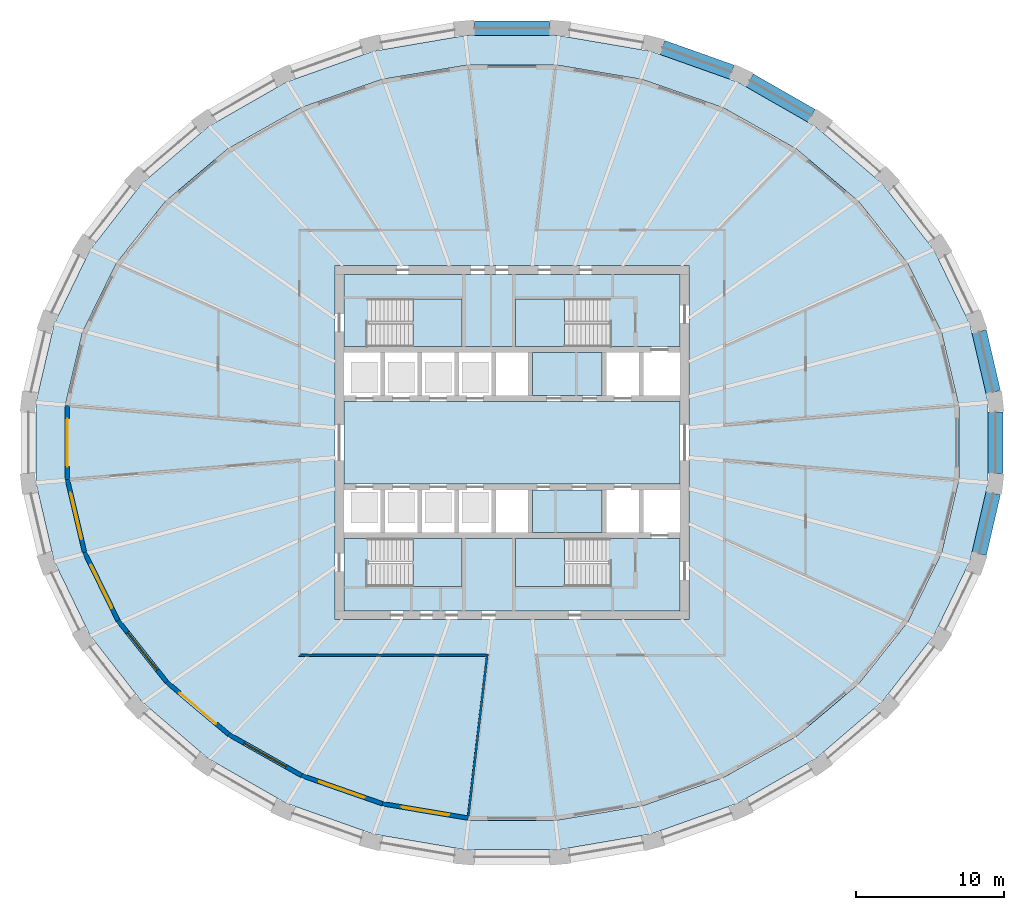
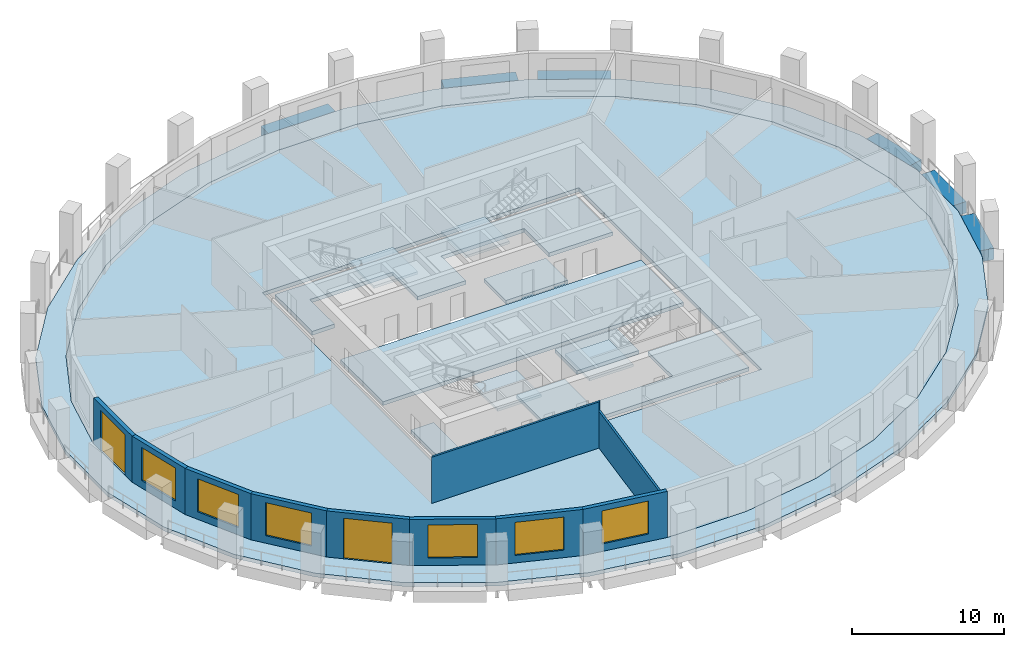
# One storey, part 2 of 10: 11 slabs, 10 walls, 6 beams, 6 windows, 2 doors, 8 openings, 4 elements without a shape of their own.
"""IFC4 building model written with IfcOpenShell, lengths in metres."""

from ifc_helpers import new_model, si_unit, direction, frame, frame_2d, origin, origin_2d, place, context, subcontext, project, spatial, polyline, rectangle, outline, extrude, material, layer, layer_set, material_profile, profile_set, type_object, element, fill, aggregate, save


model = new_model("IFC4")

# Units and contexts
model_context = context("Model", 3, precision=1e-05, world=origin(), true_north=direction((0.0, 1.0)))
body_context = subcontext(model_context, "Body", "Model", "MODEL_VIEW")
ifc_project = project(units=[si_unit("LENGTHUNIT", "METRE"), si_unit("AREAUNIT", "SQUARE_METRE"), si_unit("VOLUMEUNIT", "CUBIC_METRE"), si_unit("PLANEANGLEUNIT", "RADIAN"), si_unit("MASSUNIT", "GRAM", prefix="KILO")], contexts=[model_context])

# Site, building, storey
site_placement = place(None, origin())
site = spatial("IfcSite", under=ifc_project, at=site_placement, CompositionType="ELEMENT")
building_placement = place(site_placement, origin())
building = spatial("IfcBuilding", under=site, at=building_placement, Name="Halqa Exchange Tower", CompositionType="ELEMENT")
storey_placement = place(building_placement, frame((0.0, 0.0, 178.89990234375)))
storey = spatial("IfcBuildingStorey", under=building, at=storey_placement, Name="L40", CompositionType="ELEMENT", Elevation=178.89990234375)

# Beams
ifc_material_1 = material(Name="Concrete C60/75", Category="concrete")
ifc_material_profile = material_profile(ifc_material_1, rectangle(XDim=1.0, YDim=0.89990234375, at=origin_2d()), Name="1000 x 900")
ifc_profile_set = profile_set([ifc_material_profile], Name="Concrete C60/75")
beam_type = type_object("IfcBeamType", Name="RC spandrel beam 1000 x 900 C60/75", PredefinedType="SPANDREL", material=ifc_profile_set)
beam_1_placement = place(storey_placement, frame((32.60986328125, 3.424072265625, -0.449951171875), z_axis=(-0.226085562034, 0.974107447174, 0.0), x_axis=(-0.974107447174, -0.226085562034, 0.0)))
element("IfcBeam", 1, at=beam_1_placement, inside=storey, type_object=beam_type, Name="Spandrel 1", PredefinedType="SPANDREL", context=body_context, shape_type="SweptSolid", body=[
    extrude(rectangle(XDim=1.0, YDim=0.89990234375, at=origin_2d()), origin(), (0.0, 0.0, 1.0), 4.216796875),
])
beam_2_placement = place(storey_placement, frame((20.29931640625, 22.148193359375, -0.449951171875), z_axis=(-0.867742419962, 0.497014177462, 0.0), x_axis=(-0.497014177462, -0.867742419962, 0.0)))
element("IfcBeam", 2, at=beam_2_placement, inside=storey, type_object=beam_type, Name="Spandrel 5", PredefinedType="SPANDREL", context=body_context, shape_type="SweptSolid", body=[
    extrude(rectangle(XDim=1.0, YDim=0.89990234375, at=origin_2d()), origin(), (0.0, 0.0, 1.0), 4.8349609375),
])
beam_3_placement = place(storey_placement, frame((14.8828125, 25.11181640625, -0.449951171875), z_axis=(-0.942363905459, 0.3345897035, 0.0), x_axis=(-0.3345897035, -0.942363905459, 0.0)))
element("IfcBeam", 3, at=beam_3_placement, inside=storey, type_object=beam_type, Name="Spandrel 6", PredefinedType="SPANDREL", context=body_context, shape_type="SweptSolid", body=[
    extrude(rectangle(XDim=1.0, YDim=0.89990234375, at=origin_2d()), origin(), (0.0, 0.0, 1.0), 4.977783203125),
])
beam_4_placement = place(storey_placement, frame((2.551513671875, 28.082275390625, -0.449951171875), z_axis=(-1.0, 0.0, 0.0), x_axis=(0.0, -1.0, 0.0)))
element("IfcBeam", 4, at=beam_4_placement, inside=storey, type_object=beam_type, Name="Spandrel 8", PredefinedType="SPANDREL", context=body_context, shape_type="SweptSolid", body=[
    extrude(rectangle(XDim=1.0, YDim=0.89990234375, at=origin_2d()), origin(), (0.0, 0.0, 1.0), 5.10302734375),
])
beam_5_placement = place(storey_placement, frame((31.656494140625, -7.53173828125, -0.449951171875), z_axis=(0.226085562034, 0.974107447174, 0.0), x_axis=(-0.974107447174, 0.226085562034, 0.0)))
element("IfcBeam", 5, at=beam_5_placement, inside=storey, type_object=beam_type, Name="Spandrel 31", PredefinedType="SPANDREL", context=body_context, shape_type="SweptSolid", body=[
    extrude(rectangle(XDim=1.0, YDim=0.89990234375, at=origin_2d()), origin(), (0.0, 0.0, 1.0), 4.216796875),
])
beam_6_placement = place(storey_placement, frame((32.7626953125, -2.08984375, -0.449951171875), z_axis=(0.0, 1.0, 0.0), x_axis=(-1.0, 0.0, 0.0)))
element("IfcBeam", 6, at=beam_6_placement, inside=storey, type_object=beam_type, Name="Spandrel 32", PredefinedType="SPANDREL", context=body_context, shape_type="SweptSolid", body=[
    extrude(rectangle(XDim=1.0, YDim=0.89990234375, at=origin_2d()), origin(), (0.0, 0.0, 1.0), 4.1796875),
])

# Slabs
ifc_layer_1 = layer(ifc_material_1, 0.300048828125)
ifc_layer_set_1 = layer_set([ifc_layer_1], Name="Concrete C60/75")
slab_type_1 = type_object("IfcSlabType", Name="Core floor slab 300", PredefinedType="FLOOR", material=ifc_layer_set_1)
slab_1_placement = place(storey_placement, frame((0.0, 0.0, -0.2998046875)))
element("IfcSlab", 7, at=slab_1_placement, inside=storey, type_object=slab_type_1, Name="Core floor slab", PredefinedType="FLOOR", context=body_context, shape_type="SweptSolid", body=[
    extrude(outline(polyline([(-11.39990234375, 2.800048828125), (11.39990234375, 2.800048828125), (11.39990234375, -2.800048828125), (-11.39990234375, -2.800048828125), (-11.39990234375, 2.800048828125)])), origin(), (0.0, 0.0, 1.0), 0.2998046875),
])
slab_2_placement = place(storey_placement, frame((0.0, 0.0, -0.2998046875)))
element("IfcSlab", 8, at=slab_2_placement, inside=storey, type_object=slab_type_1, Name="Core floor slab", PredefinedType="FLOOR", context=body_context, shape_type="SweptSolid", body=[
    extrude(outline(polyline([(-11.39990234375, 11.39990234375), (11.39990234375, 11.39990234375), (11.39990234375, 6.5), (6.550048828125, 6.5), (6.550048828125, 9.75), (0.25, 9.75), (0.25, 6.5), (-3.39990234375, 6.5), (-3.39990234375, 9.75), (-9.699951171875, 9.75), (-9.699951171875, 6.5), (-11.39990234375, 6.5), (-11.39990234375, 11.39990234375)])), origin(), (0.0, 0.0, 1.0), 0.2998046875),
])
slab_3_placement = place(storey_placement, frame((0.0, 0.0, -0.2998046875)))
element("IfcSlab", 9, at=slab_3_placement, inside=storey, type_object=slab_type_1, Name="Core floor slab", PredefinedType="FLOOR", context=body_context, shape_type="SweptSolid", body=[
    extrude(outline(polyline([(-9.699951171875, -9.75), (-3.39990234375, -9.75), (-3.39990234375, -6.5), (0.25, -6.5), (0.25, -9.75), (6.550048828125, -9.75), (6.550048828125, -6.5), (11.39990234375, -6.5), (11.39990234375, -11.39990234375), (-11.39990234375, -11.39990234375), (-11.39990234375, -6.5), (-9.699951171875, -6.5), (-9.699951171875, -9.75)])), origin(), (0.0, 0.0, 1.0), 0.2998046875),
])
slab_4_placement = place(storey_placement, frame((0.0, 0.0, -0.2998046875)))
element("IfcSlab", 10, at=slab_4_placement, inside=storey, type_object=slab_type_1, Name="Core floor slab", PredefinedType="FLOOR", context=body_context, shape_type="SweptSolid", body=[
    extrude(outline(polyline([(6.10009765625, -3.199951171875), (6.10009765625, -6.10009765625), (1.39990234375, -6.10009765625), (1.39990234375, -3.199951171875), (6.10009765625, -3.199951171875)])), origin(), (0.0, 0.0, 1.0), 0.2998046875),
])
slab_5_placement = place(storey_placement, frame((0.0, 0.0, -0.2998046875)))
element("IfcSlab", 11, at=slab_5_placement, inside=storey, type_object=slab_type_1, Name="Core floor slab", PredefinedType="FLOOR", context=body_context, shape_type="SweptSolid", body=[
    extrude(outline(polyline([(6.10009765625, 6.10009765625), (6.10009765625, 3.199951171875), (1.39990234375, 3.199951171875), (1.39990234375, 6.10009765625), (6.10009765625, 6.10009765625)])), origin(), (0.0, 0.0, 1.0), 0.2998046875),
])
ifc_material_2 = material(Name="Concrete C40/50", Category="concrete")
ifc_layer_2 = layer(ifc_material_2, 0.300048828125)
ifc_layer_set_2 = layer_set([ifc_layer_2], Name="Concrete C40/50")
slab_type_2 = type_object("IfcSlabType", Name="RC floor slab 300", PredefinedType="FLOOR", material=ifc_layer_set_2)
slab_6_placement = place(storey_placement, frame((0.0, 0.0, -0.2998046875)))
element("IfcSlab", 12, at=slab_6_placement, inside=storey, type_object=slab_type_2, Name="Floor slab", PredefinedType="FLOOR", context=body_context, shape_type="SweptSolid", body=[
    extrude(outline(polyline([(30.276123046875, 2.5263671875), (29.1083984375, 7.480224609375), (26.819580078125, 12.14306640625), (23.50048828125, 16.3349609375), (19.280517578125, 19.89599609375), (14.322998046875, 22.691162109375), (8.818603515625, 24.615234375), (2.977294921875, 25.595703125), (-2.977294921875, 25.595703125), (-8.818603515625, 24.615234375), (-14.322998046875, 22.691162109375), (-19.280517578125, 19.89599609375), (-23.50048828125, 16.3349609375), (-26.819580078125, 12.14306640625), (-29.1083984375, 7.480224609375), (-30.276123046875, 2.5263671875), (-30.276123046875, -2.5263671875), (-29.1083984375, -7.480224609375), (-26.819580078125, -12.14306640625), (-23.50048828125, -16.3349609375), (-19.280517578125, -19.89599609375), (-14.322998046875, -22.691162109375), (-8.818603515625, -24.615234375), (-2.977294921875, -25.595703125), (2.977294921875, -25.595703125), (8.818603515625, -24.615234375), (14.322998046875, -22.691162109375), (19.280517578125, -19.89599609375), (23.50048828125, -16.3349609375), (26.819580078125, -12.14306640625), (29.1083984375, -7.480224609375), (30.276123046875, -2.5263671875), (30.276123046875, 2.5263671875)]), holes=[polyline([(-12.0, -12.0), (12.0, -12.0), (12.0, 12.0), (-12.0, 12.0), (-12.0, -12.0)])]), origin(), (0.0, 0.0, 1.0), 0.2998046875),
])
ifc_layer_3 = layer(ifc_material_2, 0.300048828125)
ifc_layer_set_3 = layer_set([ifc_layer_3], Name="Concrete C40/50")
slab_type_3 = type_object("IfcSlabType", Name="RC loggia slab 300", PredefinedType="FLOOR", material=ifc_layer_set_3)
slab_7_placement = place(storey_placement, frame((0.0, 0.0, -0.2998046875)))
element("IfcSlab", 13, at=slab_7_placement, inside=storey, type_object=slab_type_3, Name="Loggia slab", PredefinedType="FLOOR", context=body_context, shape_type="SweptSolid", body=[
    extrude(outline(polyline([(32.2626953125, 2.70849609375), (32.2626953125, -2.70849609375), (31.029052734375, -8.02392578125), (28.606689453125, -13.03662109375), (25.0849609375, -17.554443359375), (20.595458984375, -21.402587890625), (15.309326171875, -24.429931640625), (9.429931640625, -26.517333984375), (3.1845703125, -27.582275390625), (-3.1845703125, -27.582275390625), (-9.429931640625, -26.517333984375), (-15.309326171875, -24.429931640625), (-20.595458984375, -21.402587890625), (-25.0849609375, -17.554443359375), (-28.606689453125, -13.03662109375), (-31.029052734375, -8.02392578125), (-32.2626953125, -2.70849609375), (-32.2626953125, 2.70849609375), (-31.029052734375, 8.02392578125), (-28.606689453125, 13.03662109375), (-25.0849609375, 17.554443359375), (-20.595458984375, 21.402587890625), (-15.309326171875, 24.429931640625), (-9.429931640625, 26.517333984375), (-3.1845703125, 27.582275390625), (3.1845703125, 27.582275390625), (9.429931640625, 26.517333984375), (15.309326171875, 24.429931640625), (20.595458984375, 21.402587890625), (25.0849609375, 17.554443359375), (28.606689453125, 13.03662109375), (31.029052734375, 8.02392578125), (32.2626953125, 2.70849609375)]), holes=[polyline([(30.276123046875, 2.5263671875), (29.1083984375, 7.480224609375), (26.819580078125, 12.14306640625), (23.50048828125, 16.3349609375), (19.280517578125, 19.89599609375), (14.322998046875, 22.691162109375), (8.818603515625, 24.615234375), (2.977294921875, 25.595703125), (-2.977294921875, 25.595703125), (-8.818603515625, 24.615234375), (-14.322998046875, 22.691162109375), (-19.280517578125, 19.89599609375), (-23.50048828125, 16.3349609375), (-26.819580078125, 12.14306640625), (-29.1083984375, 7.480224609375), (-30.276123046875, 2.5263671875), (-30.276123046875, -2.5263671875), (-29.1083984375, -7.480224609375), (-26.819580078125, -12.14306640625), (-23.50048828125, -16.3349609375), (-19.280517578125, -19.89599609375), (-14.322998046875, -22.691162109375), (-8.818603515625, -24.615234375), (-2.977294921875, -25.595703125), (2.977294921875, -25.595703125), (8.818603515625, -24.615234375), (14.322998046875, -22.691162109375), (19.280517578125, -19.89599609375), (23.50048828125, -16.3349609375), (26.819580078125, -12.14306640625), (29.1083984375, -7.480224609375), (30.276123046875, -2.5263671875), (30.276123046875, 2.5263671875)])]), origin(), (0.0, 0.0, 1.0), 0.2998046875),
])

# Stair, slab
ifc_material_3 = material(Name="Concrete C30/37", Category="concrete")
stair_type = type_object("IfcStairType", Name="Exit stair 1500 wide", PredefinedType="HALF_TURN_STAIR", material=ifc_material_3)
stair_1_placement = place(storey_placement, origin())
stair_1 = element("IfcStair", 14, at=stair_1_placement, inside=storey, type_object=stair_type, Name="Exit stair ST1", PredefinedType="HALF_TURN_STAIR")
ifc_layer_4 = layer(ifc_material_3, 0.199951171875)
ifc_layer_set_4 = layer_set([ifc_layer_4], Name="Concrete C30/37")
slab_type_4 = type_object("IfcSlabType", Name="Stair landing 200 slab", PredefinedType="LANDING", material=ifc_layer_set_4)
slab_8_placement = place(storey_placement, frame((0.0, 0.0, 1.800048828125)))
slab_8 = element("IfcSlab", 15, at=slab_8_placement, type_object=slab_type_4, Name="ST1 landing 1", PredefinedType="LANDING", context=body_context, shape_type="SweptSolid", body=[
    extrude(outline(polyline([(-6.719970703125, 6.5), (-3.39990234375, 6.5), (-3.39990234375, 9.75), (-6.719970703125, 9.75), (-6.719970703125, 6.5)])), origin(), (0.0, 0.0, 1.0), 0.199951171875),
])
aggregate(stair_1, [slab_8])

stair_2_placement = place(storey_placement, origin())
stair_2 = element("IfcStair", 16, at=stair_2_placement, inside=storey, type_object=stair_type, Name="Exit stair ST2", PredefinedType="HALF_TURN_STAIR")
slab_9_placement = place(storey_placement, frame((0.0, 0.0, 1.800048828125)))
slab_9 = element("IfcSlab", 17, at=slab_9_placement, type_object=slab_type_4, Name="ST2 landing 1", PredefinedType="LANDING", context=body_context, shape_type="SweptSolid", body=[
    extrude(outline(polyline([(0.25, 6.5), (3.570068359375, 6.5), (3.570068359375, 9.75), (0.25, 9.75), (0.25, 6.5)])), origin(), (0.0, 0.0, 1.0), 0.199951171875),
])
aggregate(stair_2, [slab_9])

stair_3_placement = place(storey_placement, origin())
stair_3 = element("IfcStair", 18, at=stair_3_placement, inside=storey, type_object=stair_type, Name="Exit stair ST3", PredefinedType="HALF_TURN_STAIR")
slab_10_placement = place(storey_placement, frame((0.0, 0.0, 1.800048828125)))
slab_10 = element("IfcSlab", 19, at=slab_10_placement, type_object=slab_type_4, Name="ST3 landing 1", PredefinedType="LANDING", context=body_context, shape_type="SweptSolid", body=[
    extrude(outline(polyline([(-6.719970703125, -9.75), (-3.39990234375, -9.75), (-3.39990234375, -6.5), (-6.719970703125, -6.5), (-6.719970703125, -9.75)])), origin(), (0.0, 0.0, 1.0), 0.199951171875),
])
aggregate(stair_3, [slab_10])

stair_4_placement = place(storey_placement, origin())
stair_4 = element("IfcStair", 20, at=stair_4_placement, inside=storey, type_object=stair_type, Name="Exit stair ST4", PredefinedType="HALF_TURN_STAIR")
slab_11_placement = place(storey_placement, frame((0.0, 0.0, 1.800048828125)))
slab_11 = element("IfcSlab", 21, at=slab_11_placement, type_object=slab_type_4, Name="ST4 landing 1", PredefinedType="LANDING", context=body_context, shape_type="SweptSolid", body=[
    extrude(outline(polyline([(0.25, -9.75), (3.570068359375, -9.75), (3.570068359375, -6.5), (0.25, -6.5), (0.25, -9.75)])), origin(), (0.0, 0.0, 1.0), 0.199951171875),
])
aggregate(stair_4, [slab_11])

# Walls
ifc_material_4 = material(Name="Fire-rated gypsum board")
ifc_layer_5 = layer(ifc_material_4, 0.14990234375)
ifc_layer_set_5 = layer_set([ifc_layer_5], Name="Fire-rated gypsum board")
wall_type_1 = type_object("IfcWallType", Name="Fire partition EI 60 150", PredefinedType="PARTITIONING", material=ifc_layer_set_5)
wall_1_placement = place(storey_placement, frame((-2.953857421875, -25.29150390625, 0.0), z_axis=(0.0, 0.0, 1.0), x_axis=(0.116172056535, 0.993229104125, 0.0)))
element("IfcWall", 22, at=wall_1_placement, inside=storey, type_object=wall_type_1, Name="L40-PWL-011", PredefinedType="PARTITIONING", context=body_context, shape_type="SweptSolid", body=[
    extrude(outline(polyline([(11.0498046875, -0.074951171875), (11.0498046875, -0.07470703125), (10.9658203125, 0.0), (10.881591796875, 0.074951171875), (9.06787109375, 0.074951171875), (7.25439453125, 0.074951171875), (5.440673828125, 0.074951171875), (3.627197265625, 0.074951171875), (1.8134765625, 0.074951171875), (0.0, 0.074951171875), (0.0, -0.0361328125), (0.004638671875, -0.074951171875), (1.845458984375, -0.074951171875), (3.686279296875, -0.074951171875), (5.527099609375, -0.074951171875), (7.3681640625, -0.074951171875), (9.208984375, -0.074951171875), (11.0498046875, -0.074951171875)])), origin(), (0.0, 0.0, 1.0), 2.947021484375),
])
wall_2_placement = place(storey_placement, frame((-1.595703125, -14.39990234375, 0.0), z_axis=(0.0, 0.0, 1.0), x_axis=(-1.0, 0.0, 0.0)))
element("IfcWall", 23, at=wall_2_placement, inside=storey, type_object=wall_type_1, Name="L40-PWL-012", PredefinedType="PARTITIONING", context=body_context, shape_type="SweptSolid", body=[
    extrude(outline(polyline([(0.0, -0.074951171875), (1.818359375, -0.074951171875), (3.636962890625, -0.074951171875), (5.455322265625, -0.074951171875), (7.27392578125, -0.074951171875), (9.09228515625, -0.074951171875), (10.910888671875, -0.074951171875), (12.729248046875, -0.074951171875), (12.879150390625, 0.074951171875), (11.063232421875, 0.074951171875), (9.24755859375, 0.074951171875), (7.431640625, 0.074951171875), (5.615966796875, 0.074951171875), (3.800048828125, 0.074951171875), (1.984130859375, 0.074951171875), (0.16845703125, 0.074951171875), (0.0, -0.074951171875), (0.0, -0.074951171875)])), origin(), (0.0, 0.0, 1.0), 3.7001953125),
])

# Wall, opening, door
ifc_material_5 = material(Name="Limestone cladding", Category="masonry")
ifc_layer_6 = layer(ifc_material_5, 0.0400390625)
ifc_material_6 = material(Name="Ventilated cavity")
ifc_layer_7 = layer(ifc_material_6, 0.030029296875, ventilated=True)
ifc_material_7 = material(Name="Mineral wool insulation")
ifc_layer_8 = layer(ifc_material_7, 0.10009765625)
ifc_layer_9 = layer(ifc_material_3, 0.10009765625)
ifc_material_8 = material(Name="Internal plaster")
ifc_layer_10 = layer(ifc_material_8, 0.030029296875)
ifc_layer_set_6 = layer_set([ifc_layer_6, ifc_layer_7, ifc_layer_8, ifc_layer_9, ifc_layer_10], Name="Stone-faced insulated wall 300")
wall_type_2 = type_object("IfcWallType", Name="Stone-faced insulated wall 300", PredefinedType="STANDARD", material=ifc_layer_set_6)
wall_3_placement = place(storey_placement, frame((-30.126220703125, 2.5087890625, 0.0), z_axis=(0.0, 0.0, 1.0), x_axis=(0.0, -1.0, 0.0)))
wall_3 = element("IfcWall", 24, at=wall_3_placement, inside=storey, type_object=wall_type_2, Name="Glass-line wall 16", PredefinedType="STANDARD", context=body_context, shape_type="SweptSolid", body=[
    extrude(outline(polyline([(-0.017333984375, -0.14990234375), (5.034912109375, -0.14990234375), (5.000244140625, 0.14990234375), (0.017333984375, 0.14990234375), (-0.017333984375, -0.14990234375)])), origin(), (0.0, 0.0, 1.0), 3.7001953125),
])
opening_1_placement = place(wall_3_placement, frame((0.8837890625, 0.0, 0.0)))
opening_1 = element("IfcOpeningElement", 25, at=opening_1_placement, cuts=wall_3, Name="Opening LG-F3-04", PredefinedType="OPENING", context=body_context, shape_type="SweptSolid", body=[
    extrude(rectangle(XDim=3.25, YDim=3.25, at=frame_2d((1.625, 1.625))), frame((0.0, 0.162109375, 0.0), z_axis=(0.0, -1.0, 0.0), x_axis=(1.0, 0.0, 0.0)), (0.0, 0.0, 1.0), 0.323974609375),
])
ifc_material_9 = material(Name="Clear low-emissivity glass in aluminium frame", Category="aluminium")
door_type = type_object("IfcDoorType", Name="Glazed sliding loggia door 3250 x 3250", OperationType="DOUBLE_DOOR_SLIDING", PredefinedType="DOOR", material=ifc_material_9)
door_1_placement = place(opening_1_placement, origin())
door_1 = element("IfcDoor", 26, at=door_1_placement, inside=storey, type_object=door_type, Name="Loggia door 4", OperationType="DOUBLE_DOOR_SLIDING", OverallHeight=3.25, OverallWidth=3.25, PredefinedType="DOOR", context=body_context, shape_type="SweptSolid", body=[
    extrude(rectangle(XDim=3.25, YDim=3.25, at=frame_2d((1.625, 1.625))), frame((0.0, 0.02490234375, 0.0), z_axis=(0.0, -1.0, 0.0), x_axis=(1.0, 0.0, 0.0)), (0.0, 0.0, 1.0), 0.050048828125),
])
fill(opening_1, door_1)

# Wall, opening, window
wall_4_placement = place(storey_placement, frame((-30.126220703125, -2.5087890625, 0.0), z_axis=(0.0, 0.0, 1.0), x_axis=(0.229434992017, -0.973323987395, 0.0)))
wall_4 = element("IfcWall", 27, at=wall_4_placement, inside=storey, type_object=wall_type_2, Name="Glass-line wall 17", PredefinedType="STANDARD", context=body_context, shape_type="SweptSolid", body=[
    extrude(outline(polyline([(-0.017333984375, -0.14990234375), (5.072265625, -0.14990234375), (5.03857421875, 0.14990234375), (0.017333984375, 0.14990234375), (-0.017333984375, -0.14990234375)])), origin(), (0.0, 0.0, 1.0), 3.7001953125),
])
opening_2_placement = place(wall_4_placement, frame((0.902587890625, 0.0, 0.60009765625)))
opening_2 = element("IfcOpeningElement", 28, at=opening_2_placement, cuts=wall_4, Name="Opening W-F3-17", PredefinedType="OPENING", context=body_context, shape_type="SweptSolid", body=[
    extrude(rectangle(XDim=3.25, YDim=2.64990234375, at=frame_2d((1.625, 1.324951171875))), frame((0.0, 0.162109375, 0.0), z_axis=(0.0, -1.0, 0.0), x_axis=(1.0, 0.0, 0.0)), (0.0, 0.0, 1.0), 0.323974609375),
])
window_type = type_object("IfcWindowType", Name="Fixed clear glazed window 3250 x 2650", PartitioningType="TRIPLE_PANEL_VERTICAL", PredefinedType="WINDOW", material=ifc_material_9)
window_1_placement = place(opening_2_placement, origin())
window_1 = element("IfcWindow", 29, at=window_1_placement, inside=storey, type_object=window_type, Name="Window 3", OverallHeight=2.64990234375, OverallWidth=3.25, PartitioningType="TRIPLE_PANEL_VERTICAL", PredefinedType="WINDOW", context=body_context, shape_type="SweptSolid", body=[
    extrude(rectangle(XDim=3.25, YDim=2.64990234375, at=frame_2d((1.625, 1.324951171875))), frame((0.0, 0.030029296875, 0.0), z_axis=(0.0, -1.0, 0.0), x_axis=(1.0, 0.0, 0.0)), (0.0, 0.0, 1.0), 0.06005859375),
])
fill(opening_2, window_1)

wall_5_placement = place(storey_placement, frame((-28.96630859375, -7.429443359375, 0.0), z_axis=(0.0, 0.0, 1.0), x_axis=(0.440673883676, -0.897667270343, 0.0)))
wall_5 = element("IfcWall", 30, at=wall_5_placement, inside=storey, type_object=wall_type_2, Name="Glass-line wall 18", PredefinedType="STANDARD", context=body_context, shape_type="SweptSolid", body=[
    extrude(outline(polyline([(-0.016845703125, -0.14990234375), (5.17724609375, -0.14990234375), (5.14501953125, 0.14990234375), (0.016845703125, 0.14990234375), (-0.016845703125, -0.14990234375)])), origin(), (0.0, 0.0, 1.0), 3.7001953125),
])
opening_3_placement = place(wall_5_placement, frame((0.95556640625, 0.0, 0.60009765625)))
opening_3 = element("IfcOpeningElement", 31, at=opening_3_placement, cuts=wall_5, Name="Opening W-F3-18", PredefinedType="OPENING", context=body_context, shape_type="SweptSolid", body=[
    extrude(rectangle(XDim=3.25, YDim=2.64990234375, at=frame_2d((1.625, 1.324951171875))), frame((0.0, 0.162109375, 0.0), z_axis=(0.0, -1.0, 0.0), x_axis=(1.0, 0.0, 0.0)), (0.0, 0.0, 1.0), 0.323974609375),
])
window_2_placement = place(opening_3_placement, origin())
window_2 = element("IfcWindow", 32, at=window_2_placement, inside=storey, type_object=window_type, Name="Window 3", OverallHeight=2.64990234375, OverallWidth=3.25, PartitioningType="TRIPLE_PANEL_VERTICAL", PredefinedType="WINDOW", context=body_context, shape_type="SweptSolid", body=[
    extrude(rectangle(XDim=3.25, YDim=2.64990234375, at=frame_2d((1.625, 1.324951171875))), frame((0.0, 0.030029296875, 0.0), z_axis=(0.0, -1.0, 0.0), x_axis=(1.0, 0.0, 0.0)), (0.0, 0.0, 1.0), 0.06005859375),
])
fill(opening_3, window_2)

wall_6_placement = place(storey_placement, frame((-26.69189453125, -12.0625, 0.0), z_axis=(0.0, 0.0, 1.0), x_axis=(0.620766467446, -0.78399553117, 0.0)))
wall_6 = element("IfcWall", 33, at=wall_6_placement, inside=storey, type_object=wall_type_2, Name="Glass-line wall 19", PredefinedType="STANDARD", context=body_context, shape_type="SweptSolid", body=[
    extrude(outline(polyline([(-0.01611328125, -0.14990234375), (5.330810546875, -0.14990234375), (5.300537109375, 0.14990234375), (0.01611328125, 0.14990234375), (-0.01611328125, -0.14990234375)])), origin(), (0.0, 0.0, 1.0), 3.7001953125),
])
opening_4_placement = place(wall_6_placement, frame((1.032958984375, 0.0, 0.60009765625)))
opening_4 = element("IfcOpeningElement", 34, at=opening_4_placement, cuts=wall_6, Name="Opening W-F3-19", PredefinedType="OPENING", context=body_context, shape_type="SweptSolid", body=[
    extrude(rectangle(XDim=3.25, YDim=2.64990234375, at=frame_2d((1.625, 1.324951171875))), frame((0.0, 0.162109375, 0.0), z_axis=(0.0, -1.0, 0.0), x_axis=(1.0, 0.0, 0.0)), (0.0, 0.0, 1.0), 0.323974609375),
])
window_3_placement = place(opening_4_placement, origin())
window_3 = element("IfcWindow", 35, at=window_3_placement, inside=storey, type_object=window_type, Name="Window 3", OverallHeight=2.64990234375, OverallWidth=3.25, PartitioningType="TRIPLE_PANEL_VERTICAL", PredefinedType="WINDOW", context=body_context, shape_type="SweptSolid", body=[
    extrude(rectangle(XDim=3.25, YDim=2.64990234375, at=frame_2d((1.625, 1.324951171875))), frame((0.0, 0.030029296875, 0.0), z_axis=(0.0, -1.0, 0.0), x_axis=(1.0, 0.0, 0.0)), (0.0, 0.0, 1.0), 0.06005859375),
])
fill(opening_4, window_3)

# Wall, opening, door
wall_7_placement = place(storey_placement, frame((-23.39208984375, -16.22998046875, 0.0), z_axis=(0.0, 0.0, 1.0), x_axis=(0.764238764041, -0.64493341636, 0.0)))
wall_7 = element("IfcWall", 36, at=wall_7_placement, inside=storey, type_object=wall_type_2, Name="Glass-line wall 20", PredefinedType="STANDARD", context=body_context, shape_type="SweptSolid", body=[
    extrude(outline(polyline([(-0.01513671875, -0.14990234375), (5.506591796875, -0.14990234375), (5.478271484375, 0.14990234375), (0.01513671875, 0.14990234375), (-0.01513671875, -0.14990234375)])), origin(), (0.0, 0.0, 1.0), 3.7001953125),
])
opening_5_placement = place(wall_7_placement, frame((1.12109375, 0.0, 0.0)))
opening_5 = element("IfcOpeningElement", 37, at=opening_5_placement, cuts=wall_7, Name="Opening LG-F3-05", PredefinedType="OPENING", context=body_context, shape_type="SweptSolid", body=[
    extrude(rectangle(XDim=3.25, YDim=3.25, at=frame_2d((1.625, 1.625))), frame((0.0, 0.162109375, 0.0), z_axis=(0.0, -1.0, 0.0), x_axis=(1.0, 0.0, 0.0)), (0.0, 0.0, 1.0), 0.323974609375),
])
door_2_placement = place(opening_5_placement, origin())
door_2 = element("IfcDoor", 38, at=door_2_placement, inside=storey, type_object=door_type, Name="Loggia door 5", OperationType="DOUBLE_DOOR_SLIDING", OverallHeight=3.25, OverallWidth=3.25, PredefinedType="DOOR", context=body_context, shape_type="SweptSolid", body=[
    extrude(rectangle(XDim=3.25, YDim=3.25, at=frame_2d((1.625, 1.625))), frame((0.0, 0.02490234375, 0.0), z_axis=(0.0, -1.0, 0.0), x_axis=(1.0, 0.0, 0.0)), (0.0, 0.0, 1.0), 0.050048828125),
])
fill(opening_5, door_2)

# Wall, opening, window
wall_8_placement = place(storey_placement, frame((-19.194580078125, -19.772216796875, 0.0), z_axis=(0.0, 0.0, 1.0), x_axis=(0.871077775545, -0.491145099691, 0.0)))
wall_8 = element("IfcWall", 39, at=wall_8_placement, inside=storey, type_object=wall_type_2, Name="Glass-line wall 21", PredefinedType="STANDARD", context=body_context, shape_type="SweptSolid", body=[
    extrude(outline(polyline([(-0.01416015625, -0.14990234375), (5.67724609375, -0.14990234375), (5.650390625, 0.14990234375), (0.01416015625, 0.14990234375), (-0.01416015625, -0.14990234375)])), origin(), (0.0, 0.0, 1.0), 3.7001953125),
])
opening_6_placement = place(wall_8_placement, frame((1.206787109375, 0.0, 0.60009765625)))
opening_6 = element("IfcOpeningElement", 40, at=opening_6_placement, cuts=wall_8, Name="Opening W-F3-21", PredefinedType="OPENING", context=body_context, shape_type="SweptSolid", body=[
    extrude(rectangle(XDim=3.25, YDim=2.64990234375, at=frame_2d((1.625, 1.324951171875))), frame((0.0, 0.162109375, 0.0), z_axis=(0.0, -1.0, 0.0), x_axis=(1.0, 0.0, 0.0)), (0.0, 0.0, 1.0), 0.323974609375),
])
window_4_placement = place(opening_6_placement, origin())
window_4 = element("IfcWindow", 41, at=window_4_placement, inside=storey, type_object=window_type, Name="Window 3", OverallHeight=2.64990234375, OverallWidth=3.25, PartitioningType="TRIPLE_PANEL_VERTICAL", PredefinedType="WINDOW", context=body_context, shape_type="SweptSolid", body=[
    extrude(rectangle(XDim=3.25, YDim=2.64990234375, at=frame_2d((1.625, 1.324951171875))), frame((0.0, 0.030029296875, 0.0), z_axis=(0.0, -1.0, 0.0), x_axis=(1.0, 0.0, 0.0)), (0.0, 0.0, 1.0), 0.06005859375),
])
fill(opening_6, window_4)

wall_9_placement = place(storey_placement, frame((-14.260986328125, -22.553955078125, 0.0), z_axis=(0.0, 0.0, 1.0), x_axis=(0.943990724372, -0.329971987144, 0.0)))
wall_9 = element("IfcWall", 42, at=wall_9_placement, inside=storey, type_object=wall_type_2, Name="Glass-line wall 22", PredefinedType="STANDARD", context=body_context, shape_type="SweptSolid", body=[
    extrude(outline(polyline([(-0.013427734375, -0.14990234375), (5.81787109375, -0.14990234375), (5.79248046875, 0.14990234375), (0.013427734375, 0.14990234375), (-0.013427734375, -0.14990234375)])), origin(), (0.0, 0.0, 1.0), 3.7001953125),
])
opening_7_placement = place(wall_9_placement, frame((1.277587890625, 0.0, 0.60009765625)))
opening_7 = element("IfcOpeningElement", 43, at=opening_7_placement, cuts=wall_9, Name="Opening W-F3-22", PredefinedType="OPENING", context=body_context, shape_type="SweptSolid", body=[
    extrude(rectangle(XDim=3.25, YDim=2.64990234375, at=frame_2d((1.625, 1.324951171875))), frame((0.0, 0.162109375, 0.0), z_axis=(0.0, -1.0, 0.0), x_axis=(1.0, 0.0, 0.0)), (0.0, 0.0, 1.0), 0.323974609375),
])
window_5_placement = place(opening_7_placement, origin())
window_5 = element("IfcWindow", 44, at=window_5_placement, inside=storey, type_object=window_type, Name="Window 3", OverallHeight=2.64990234375, OverallWidth=3.25, PartitioningType="TRIPLE_PANEL_VERTICAL", PredefinedType="WINDOW", context=body_context, shape_type="SweptSolid", body=[
    extrude(rectangle(XDim=3.25, YDim=2.64990234375, at=frame_2d((1.625, 1.324951171875))), frame((0.0, 0.030029296875, 0.0), z_axis=(0.0, -1.0, 0.0), x_axis=(1.0, 0.0, 0.0)), (0.0, 0.0, 1.0), 0.06005859375),
])
fill(opening_7, window_5)

wall_10_placement = place(storey_placement, frame((-8.781005859375, -24.469482421875, 0.0), z_axis=(0.0, 0.0, 1.0), x_axis=(0.986201934369, -0.165546805001, 0.0)))
wall_10 = element("IfcWall", 45, at=wall_10_placement, inside=storey, type_object=wall_type_2, Name="Glass-line wall 23", PredefinedType="STANDARD", context=body_context, shape_type="SweptSolid", body=[
    extrude(outline(polyline([(-0.0126953125, -0.14990234375), (5.909912109375, -0.14990234375), (5.885009765625, 0.14990234375), (0.0126953125, 0.14990234375), (-0.0126953125, -0.14990234375)])), origin(), (0.0, 0.0, 1.0), 3.7001953125),
])
opening_8_placement = place(wall_10_placement, frame((1.32373046875, 0.0, 0.60009765625)))
opening_8 = element("IfcOpeningElement", 46, at=opening_8_placement, cuts=wall_10, Name="Opening W-F3-23", PredefinedType="OPENING", context=body_context, shape_type="SweptSolid", body=[
    extrude(rectangle(XDim=3.25, YDim=2.64990234375, at=frame_2d((1.625, 1.324951171875))), frame((0.0, 0.162109375, 0.0), z_axis=(0.0, -1.0, 0.0), x_axis=(1.0, 0.0, 0.0)), (0.0, 0.0, 1.0), 0.323974609375),
])
window_6_placement = place(opening_8_placement, origin())
window_6 = element("IfcWindow", 47, at=window_6_placement, inside=storey, type_object=window_type, Name="Window 3", OverallHeight=2.64990234375, OverallWidth=3.25, PartitioningType="TRIPLE_PANEL_VERTICAL", PredefinedType="WINDOW", context=body_context, shape_type="SweptSolid", body=[
    extrude(rectangle(XDim=3.25, YDim=2.64990234375, at=frame_2d((1.625, 1.324951171875))), frame((0.0, 0.030029296875, 0.0), z_axis=(0.0, -1.0, 0.0), x_axis=(1.0, 0.0, 0.0)), (0.0, 0.0, 1.0), 0.06005859375),
])
fill(opening_8, window_6)

save(model, "model.ifc")
